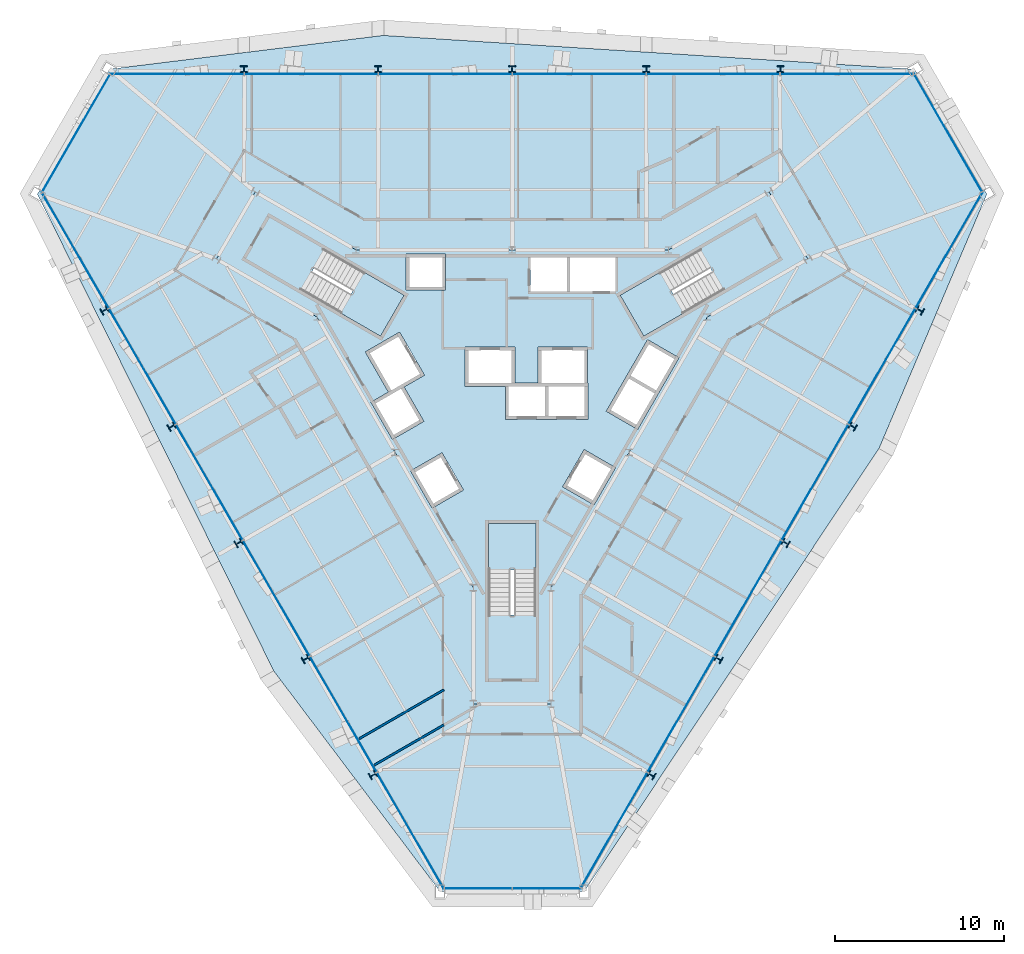
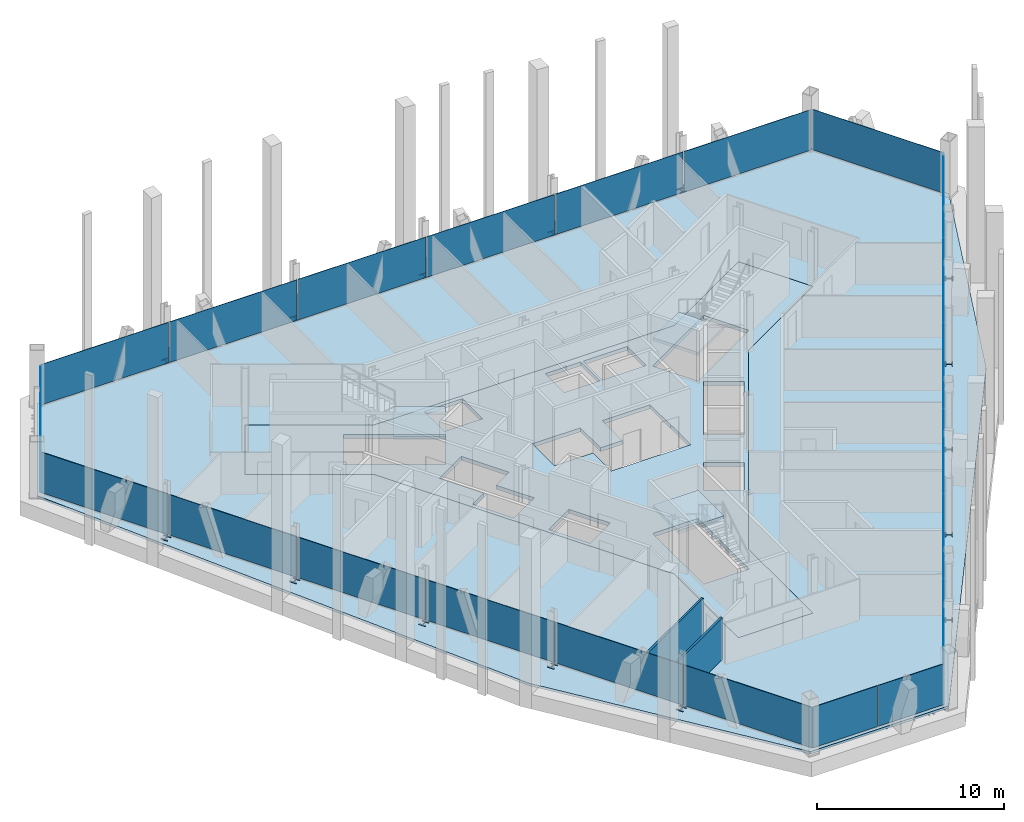
# One storey, part 9 of 15: 22 plates, 15 members, 5 slabs, 2 walls, 9 elements without a shape of their own.
"""IFC4 building model written with IfcOpenShell, lengths in metres."""

from ifc_helpers import new_model, si_unit, direction, frame, frame_2d, origin, origin_2d, place, context, subcontext, project, spatial, polyline, rectangle, i_section, outline, extrude, material, layer, layer_set, material_profile, profile_set, type_object, element, aggregate, save


model = new_model("IFC4")

# Units and contexts
model_context = context("Model", 3, precision=1e-05, world=origin(), true_north=direction((0.0, 1.0)))
body_context = subcontext(model_context, "Body", "Model", "MODEL_VIEW")
ifc_project = project(units=[si_unit("LENGTHUNIT", "METRE"), si_unit("AREAUNIT", "SQUARE_METRE"), si_unit("VOLUMEUNIT", "CUBIC_METRE"), si_unit("PLANEANGLEUNIT", "RADIAN"), si_unit("MASSUNIT", "GRAM", prefix="KILO")], contexts=[model_context])

# Site, building, storey
site_placement = place(None, origin())
site = spatial("IfcSite", under=ifc_project, at=site_placement, CompositionType="ELEMENT")
building_placement = place(site_placement, origin())
building = spatial("IfcBuilding", under=site, at=building_placement, Name="Verrane Prism Tower", CompositionType="ELEMENT")
storey_placement = place(building_placement, frame((0.0, 0.0, 189.5)))
storey = spatial("IfcBuildingStorey", under=building, at=storey_placement, Name="L47", CompositionType="ELEMENT", Elevation=189.5)

# Members
ifc_material_1 = material(Name="Steel A992", Category="steel")
ifc_material_profile = material_profile(ifc_material_1, i_section(OverallWidth=0.406494140625, OverallDepth=0.41650390625, WebThickness=0.030029296875, FlangeThickness=0.048095703125, FilletRadius=0.01513671875, at=origin_2d()), Name="W14x257")
ifc_profile_set = profile_set([ifc_material_profile], Name="Steel A992")
member_type = type_object("IfcMemberType", Name="Kink node W14x257", PredefinedType="COLLAR", material=ifc_profile_set)
member_1_placement = place(storey_placement, frame((15.898681640625, 18.706298828125, -0.0400390625), z_axis=(0.0, 0.0, 1.0), x_axis=(1.0, 0.0, 0.0)))
element("IfcMember", 1, at=member_1_placement, inside=storey, type_object=member_type, Name="Kink node PC7 L47", PredefinedType="COLLAR", context=body_context, shape_type="SweptSolid", body=[
    extrude(i_section(OverallWidth=0.406494140625, OverallDepth=0.41650390625, WebThickness=0.030029296875, FlangeThickness=0.048095703125, FilletRadius=0.01513671875, at=origin_2d()), origin(), (0.0, 0.0, 1.0), 0.080078125),
])
member_2_placement = place(storey_placement, frame((7.949462890625, 18.706787109375, -0.034912109375), z_axis=(0.0, 0.0, 1.0), x_axis=(1.0, 0.0, 0.0)))
element("IfcMember", 2, at=member_2_placement, inside=storey, type_object=member_type, Name="Kink node PC7 L47", PredefinedType="COLLAR", context=body_context, shape_type="SweptSolid", body=[
    extrude(i_section(OverallWidth=0.406494140625, OverallDepth=0.41650390625, WebThickness=0.030029296875, FlangeThickness=0.048095703125, FilletRadius=0.01513671875, at=origin_2d()), origin(), (0.0, 0.0, 1.0), 0.06982421875),
])
member_3_placement = place(storey_placement, frame((0.0, 18.70703125, -0.030029296875), z_axis=(0.0, 0.0, 1.0), x_axis=(1.0, 0.0, 0.0)))
element("IfcMember", 3, at=member_3_placement, inside=storey, type_object=member_type, Name="Kink node PC7 L47", PredefinedType="COLLAR", context=body_context, shape_type="SweptSolid", body=[
    extrude(i_section(OverallWidth=0.406494140625, OverallDepth=0.41650390625, WebThickness=0.030029296875, FlangeThickness=0.048095703125, FilletRadius=0.01513671875, at=origin_2d()), origin(), (0.0, 0.0, 1.0), 0.06005859375),
])
member_4_placement = place(storey_placement, frame((-7.949462890625, 18.706787109375, -0.034912109375), z_axis=(0.0, 0.0, 1.0), x_axis=(1.0, 0.0, 0.0)))
element("IfcMember", 4, at=member_4_placement, inside=storey, type_object=member_type, Name="Kink node PC7 L47", PredefinedType="COLLAR", context=body_context, shape_type="SweptSolid", body=[
    extrude(i_section(OverallWidth=0.406494140625, OverallDepth=0.41650390625, WebThickness=0.030029296875, FlangeThickness=0.048095703125, FilletRadius=0.01513671875, at=origin_2d()), origin(), (0.0, 0.0, 1.0), 0.06982421875),
])
for number, where, z_axis, x_axis, name in (
    (5, (-15.898681640625, 18.706298828125, -0.0400390625), (0.0, 0.0, 1.0), (1.0, 0.0, 0.0), "Kink node PC7 L47"),
    (6, (8.24755859375, -23.126708984375, -0.0400390625), (0.0, 0.0, 1.0), (-0.5, -0.866025403784, 0.0), "Kink node PC7 L47"),
):
    element("IfcMember", number, at=place(storey_placement, frame(where, z_axis=z_axis, x_axis=x_axis)), inside=storey, type_object=member_type, Name=name, PredefinedType="COLLAR", context=body_context, shape_type="SweptSolid", body=[
        extrude(i_section(OverallWidth=0.406494140625, OverallDepth=0.41650390625, WebThickness=0.030029296875, FlangeThickness=0.048095703125, FilletRadius=0.01513671875, at=origin_2d()), origin(), (0.0, 0.0, 1.0), 0.080078125),
    ])
member_5_placement = place(storey_placement, frame((12.2275390625, -16.23779296875, -0.034912109375), z_axis=(0.0, 0.0, 1.0), x_axis=(-0.5, -0.866025403784, 0.0)))
element("IfcMember", 7, at=member_5_placement, inside=storey, type_object=member_type, Name="Kink node PC7 L47", PredefinedType="COLLAR", context=body_context, shape_type="SweptSolid", body=[
    extrude(i_section(OverallWidth=0.406494140625, OverallDepth=0.41650390625, WebThickness=0.030029296875, FlangeThickness=0.048095703125, FilletRadius=0.01513671875, at=origin_2d()), origin(), (0.0, 0.0, 1.0), 0.06982421875),
])
member_6_placement = place(storey_placement, frame((16.197509765625, -9.358642578125, -0.030029296875), z_axis=(0.0, 0.0, 1.0), x_axis=(-0.5, -0.866025403784, 0.0)))
element("IfcMember", 8, at=member_6_placement, inside=storey, type_object=member_type, Name="Kink node PC7 L47", PredefinedType="COLLAR", context=body_context, shape_type="SweptSolid", body=[
    extrude(i_section(OverallWidth=0.406494140625, OverallDepth=0.41650390625, WebThickness=0.030029296875, FlangeThickness=0.048095703125, FilletRadius=0.01513671875, at=origin_2d()), origin(), (0.0, 0.0, 1.0), 0.06005859375),
])
member_7_placement = place(storey_placement, frame((20.177001953125, -2.46875, -0.034912109375), z_axis=(0.0, 0.0, 1.0), x_axis=(-0.5, -0.866025403784, 0.0)))
element("IfcMember", 9, at=member_7_placement, inside=storey, type_object=member_type, Name="Kink node PC7 L47", PredefinedType="COLLAR", context=body_context, shape_type="SweptSolid", body=[
    extrude(i_section(OverallWidth=0.406494140625, OverallDepth=0.41650390625, WebThickness=0.030029296875, FlangeThickness=0.048095703125, FilletRadius=0.01513671875, at=origin_2d()), origin(), (0.0, 0.0, 1.0), 0.06982421875),
])
for number, where, z_axis, x_axis, name in (
    (10, (24.156005859375, 4.420654296875, -0.0400390625), (0.0, 0.0, 1.0), (-0.5, -0.866025403784, 0.0), "Kink node PC7 L47"),
    (11, (-24.156005859375, 4.420654296875, -0.0400390625), (0.0, 0.0, 1.0), (-0.5, 0.866025403784, 0.0), "Kink node PC7 L47"),
):
    element("IfcMember", number, at=place(storey_placement, frame(where, z_axis=z_axis, x_axis=x_axis)), inside=storey, type_object=member_type, Name=name, PredefinedType="COLLAR", context=body_context, shape_type="SweptSolid", body=[
        extrude(i_section(OverallWidth=0.406494140625, OverallDepth=0.41650390625, WebThickness=0.030029296875, FlangeThickness=0.048095703125, FilletRadius=0.01513671875, at=origin_2d()), origin(), (0.0, 0.0, 1.0), 0.080078125),
    ])
member_8_placement = place(storey_placement, frame((-20.177001953125, -2.46875, -0.034912109375), z_axis=(0.0, 0.0, 1.0), x_axis=(-0.5, 0.866025403784, 0.0)))
element("IfcMember", 12, at=member_8_placement, inside=storey, type_object=member_type, Name="Kink node PC7 L47", PredefinedType="COLLAR", context=body_context, shape_type="SweptSolid", body=[
    extrude(i_section(OverallWidth=0.406494140625, OverallDepth=0.41650390625, WebThickness=0.030029296875, FlangeThickness=0.048095703125, FilletRadius=0.01513671875, at=origin_2d()), origin(), (0.0, 0.0, 1.0), 0.06982421875),
])
member_9_placement = place(storey_placement, frame((-16.197509765625, -9.358642578125, -0.030029296875), z_axis=(0.0, 0.0, 1.0), x_axis=(-0.5, 0.866025403784, 0.0)))
element("IfcMember", 13, at=member_9_placement, inside=storey, type_object=member_type, Name="Kink node PC7 L47", PredefinedType="COLLAR", context=body_context, shape_type="SweptSolid", body=[
    extrude(i_section(OverallWidth=0.406494140625, OverallDepth=0.41650390625, WebThickness=0.030029296875, FlangeThickness=0.048095703125, FilletRadius=0.01513671875, at=origin_2d()), origin(), (0.0, 0.0, 1.0), 0.06005859375),
])
member_10_placement = place(storey_placement, frame((-12.2275390625, -16.23779296875, -0.034912109375), z_axis=(0.0, 0.0, 1.0), x_axis=(-0.5, 0.866025403784, 0.0)))
element("IfcMember", 14, at=member_10_placement, inside=storey, type_object=member_type, Name="Kink node PC7 L47", PredefinedType="COLLAR", context=body_context, shape_type="SweptSolid", body=[
    extrude(i_section(OverallWidth=0.406494140625, OverallDepth=0.41650390625, WebThickness=0.030029296875, FlangeThickness=0.048095703125, FilletRadius=0.01513671875, at=origin_2d()), origin(), (0.0, 0.0, 1.0), 0.06982421875),
])
member_11_placement = place(storey_placement, frame((-8.24755859375, -23.126708984375, -0.0400390625), z_axis=(0.0, 0.0, 1.0), x_axis=(-0.5, 0.866025403784, 0.0)))
element("IfcMember", 15, at=member_11_placement, inside=storey, type_object=member_type, Name="Kink node PC7 L47", PredefinedType="COLLAR", context=body_context, shape_type="SweptSolid", body=[
    extrude(i_section(OverallWidth=0.406494140625, OverallDepth=0.41650390625, WebThickness=0.030029296875, FlangeThickness=0.048095703125, FilletRadius=0.01513671875, at=origin_2d()), origin(), (0.0, 0.0, 1.0), 0.080078125),
])

# Slabs
ifc_material_2 = material(Name="Concrete C35/45", Category="concrete")
ifc_layer_1 = layer(ifc_material_2, 0.159912109375)
ifc_layer_set_1 = layer_set([ifc_layer_1], Name="Composite floor slab")
slab_type_1 = type_object("IfcSlabType", Name="Composite floor slab", PredefinedType="FLOOR", material=ifc_layer_set_1)
slab_1_placement = place(storey_placement, frame((0.0, 0.0, -0.159912109375)))
element("IfcSlab", 16, at=slab_1_placement, inside=storey, type_object=slab_type_1, Name="Floor slab L47", PredefinedType="FLOOR", context=body_context, shape_type="SweptSolid", body=[
    extrude(outline(polyline([(21.75244140625, -3.74365234375), (4.27490234375, -30.015380859375), (-4.27490234375, -30.015380859375), (-14.118408203125, -16.96630859375), (-28.131591796875, 11.305419921875), (-23.856689453125, 18.7099609375), (-7.634033203125, 20.7099609375), (23.856689453125, 18.7099609375), (28.131591796875, 11.305419921875), (21.75244140625, -3.74365234375)]), holes=[polyline([(17.52001953125, 7.4599609375), (15.219970703125, 11.43994140625), (9.260009765625, 8.0), (0.0, 8.0), (-9.260009765625, 8.0), (-15.219970703125, 11.43994140625), (-17.52001953125, 7.4599609375), (-11.56005859375, 4.02001953125), (-6.929931640625, -4.0), (-2.300048828125, -12.02001953125), (-2.300048828125, -18.89990234375), (2.300048828125, -18.89990234375), (2.300048828125, -12.02001953125), (6.929931640625, -4.0), (11.56005859375, 4.02001953125), (17.52001953125, 7.4599609375)])]), origin(), (0.0, 0.0, 1.0), 0.159912109375),
])
ifc_material_3 = material(Name="Concrete C40/50", Category="concrete")
ifc_layer_2 = layer(ifc_material_3, 0.25)
ifc_layer_set_2 = layer_set([ifc_layer_2], Name="Core floor slab 250 concrete C40/50")
slab_type_2 = type_object("IfcSlabType", Name="Core floor slab 250 concrete C40/50", PredefinedType="FLOOR", material=ifc_layer_set_2)
slab_2_placement = place(storey_placement, frame((0.0, 0.0, -0.25)))
element("IfcSlab", 17, at=slab_2_placement, inside=storey, type_object=slab_type_2, Name="Core floor L47", PredefinedType="FLOOR", context=body_context, shape_type="SweptSolid", body=[
    extrude(outline(polyline([(11.56005859375, 4.02001953125), (17.52001953125, 7.4599609375), (15.219970703125, 11.43994140625), (9.260009765625, 8.0), (0.0, 8.0), (-9.260009765625, 8.0), (-15.219970703125, 11.43994140625), (-17.52001953125, 7.4599609375), (-11.56005859375, 4.02001953125), (-6.929931640625, -4.0), (-2.300048828125, -12.02001953125), (-2.300048828125, -18.89990234375), (2.300048828125, -18.89990234375), (2.300048828125, -12.02001953125), (6.929931640625, -4.0), (11.56005859375, 4.02001953125)]), holes=[polyline([(1.39990234375, -8.199951171875), (1.39990234375, -13.639892578125), (-1.39990234375, -13.639892578125), (-1.39990234375, -8.199951171875), (1.39990234375, -8.199951171875)]), polyline([(-2.881103515625, -6.22998046875), (-4.742919921875, -7.304931640625), (-6.01806640625, -5.096923828125), (-4.156005859375, -4.02197265625), (-2.881103515625, -6.22998046875)]), polyline([(-7.801025390625, 2.887939453125), (-12.512939453125, 5.60791015625), (-11.113037109375, 8.031982421875), (-6.40087890625, 5.31201171875), (-7.801025390625, 2.887939453125)]), polyline([(-6.284912109375, 5.610107421875), (-6.284912109375, 7.760009765625), (-3.93505859375, 7.760009765625), (-3.93505859375, 5.610107421875), (-6.284912109375, 5.610107421875)]), polyline([(4.26611328125, -3.8310546875), (6.1279296875, -4.906005859375), (4.85302734375, -7.114990234375), (2.990966796875, -6.0400390625), (4.26611328125, -3.8310546875)]), polyline([(7.43798828125, -2.636962890625), (5.575927734375, -1.56201171875), (8.02587890625, 2.680908203125), (9.887939453125, 1.60595703125), (7.43798828125, -2.636962890625)]), polyline([(0.1650390625, 0.10009765625), (1.52490234375, 0.10009765625), (1.52490234375, 2.25), (4.47509765625, 2.25), (4.47509765625, 0.10009765625), (4.4951171875, 0.10009765625), (4.4951171875, -2.050048828125), (-0.405029296875, -2.050048828125), (-0.405029296875, -0.10009765625), (-2.784912109375, -0.10009765625), (-2.784912109375, 2.25), (0.1650390625, 2.25), (0.1650390625, 0.10009765625)]), polyline([(6.40087890625, 5.31201171875), (11.113037109375, 8.031982421875), (12.512939453125, 5.60791015625), (7.801025390625, 2.887939453125), (6.40087890625, 5.31201171875)]), polyline([(1.074951171875, 5.534912109375), (1.074951171875, 7.56005859375), (3.264892578125, 7.56005859375), (3.264892578125, 5.534912109375), (1.074951171875, 5.534912109375)]), polyline([(3.4150390625, 7.56005859375), (6.125, 7.56005859375), (6.125, 5.534912109375), (3.4150390625, 5.534912109375), (3.4150390625, 7.56005859375)]), polyline([(-5.23095703125, -2.159912109375), (-7.093017578125, -3.235107421875), (-8.367919921875, -1.02587890625), (-7.3291015625, -0.426025390625), (-8.7041015625, 1.955078125), (-6.66796875, 3.1298828125), (-5.193115234375, 0.574951171875), (-6.406005859375, -0.125), (-5.23095703125, -2.159912109375)])]), origin(), (0.0, 0.0, 1.0), 0.25),
])

# Curtain wall, plates
ifc_material_4 = material(Name="Aluminium framed insulated glazing", Category="aluminium")
curtain_wall_type_1 = type_object("IfcCurtainWallType", Name="Curtain wall CW-C 4200 module", PredefinedType="NOTDEFINED", material=ifc_material_4)
curtain_wall_1_placement = place(storey_placement, origin())
curtain_wall_1 = element("IfcCurtainWall", 18, at=curtain_wall_1_placement, inside=storey, type_object=curtain_wall_type_1, Name="Glazed curtain wall south corner L47", PredefinedType="NOTDEFINED")
ifc_material_5 = material(Name="Low-iron insulating glass unit", Category="glass")
ifc_layer_3 = layer(ifc_material_5, 0.02392578125)
ifc_layer_set_3 = layer_set([ifc_layer_3], Name="Glazing panel IGU 24")
plate_type_1 = type_object("IfcPlateType", Name="Glazing panel IGU 24", PredefinedType="CURTAIN_PANEL", material=ifc_layer_set_3)
plate_1_placement = place(storey_placement, frame((-2.01513671875, -29.838134765625, 0.0498046875), z_axis=(0.0, 0.0, 1.0), x_axis=(1.0, 0.0, 0.0)))
plate_1 = element("IfcPlate", 19, at=plate_1_placement, type_object=plate_type_1, Name="CW47.5 panel 1", PredefinedType="CURTAIN_PANEL", context=body_context, shape_type="SweptSolid", body=[
    extrude(rectangle(XDim=3.980224609375, YDim=0.02392578125, at=origin_2d()), origin(), (0.0, 0.0, 1.0), 2.662841796875),
])
plate_2_placement = place(storey_placement, frame((2.0400390625, -29.838134765625, 0.0498046875), z_axis=(0.0, 0.0, 1.0), x_axis=(1.0, 0.0, 0.0)))
plate_2 = element("IfcPlate", 20, at=plate_2_placement, type_object=plate_type_1, Name="CW47.5 panel 2", PredefinedType="CURTAIN_PANEL", context=body_context, shape_type="SweptSolid", body=[
    extrude(rectangle(XDim=4.0302734375, YDim=0.02392578125, at=origin_2d()), origin(), (0.0, 0.0, 1.0), 2.662841796875),
])
aggregate(curtain_wall_1, [plate_1, plate_2])

# Curtain wall, plate
ifc_material_6 = material(Name="Aluminium framed insulated glazing", Category="aluminium")
curtain_wall_type_2 = type_object("IfcCurtainWallType", Name="Curtain wall CW-B 5600 module", PredefinedType="NOTDEFINED", material=ifc_material_6)
curtain_wall_2_placement = place(storey_placement, origin())
curtain_wall_2 = element("IfcCurtainWall", 21, at=curtain_wall_2_placement, inside=storey, type_object=curtain_wall_type_2, Name="Glazed curtain wall north-west corner L47", PredefinedType="NOTDEFINED")
ifc_material_7 = material(Name="Low-iron insulating glass unit", Category="glass")
ifc_layer_4 = layer(ifc_material_7, 0.028076171875)
ifc_layer_set_4 = layer_set([ifc_layer_4], Name="Glazing panel IGU 28")
plate_type_2 = type_object("IfcPlateType", Name="Glazing panel IGU 28", PredefinedType="CURTAIN_PANEL", material=ifc_layer_set_4)
plate_3_placement = place(storey_placement, frame((-25.85546875, 14.89306640625, 0.06005859375), z_axis=(0.0, 0.0, 1.0), x_axis=(-0.500004572218, -0.866022763997, 0.0)))
plate_3 = element("IfcPlate", 22, at=plate_3_placement, type_object=plate_type_2, Name="CW47.3 panel 1", PredefinedType="CURTAIN_PANEL", context=body_context, shape_type="SweptSolid", body=[
    extrude(rectangle(XDim=8.050537109375, YDim=0.028076171875, at=origin_2d()), origin(), (0.0, 0.0, 1.0), 2.65283203125),
])
aggregate(curtain_wall_2, [plate_3])

ifc_material_8 = material(Name="Aluminium framed insulated glazing", Category="aluminium")
curtain_wall_type_3 = type_object("IfcCurtainWallType", Name="Curtain wall CW-A 8400 module", PredefinedType="NOTDEFINED", material=ifc_material_8)
curtain_wall_3_placement = place(storey_placement, origin())
curtain_wall_3 = element("IfcCurtainWall", 23, at=curtain_wall_3_placement, inside=storey, type_object=curtain_wall_type_3, Name="Glazed curtain wall north-east corner L47", PredefinedType="NOTDEFINED")
ifc_material_9 = material(Name="Low-iron insulating glass unit", Category="glass")
ifc_layer_5 = layer(ifc_material_9, 0.031982421875)
ifc_layer_set_5 = layer_set([ifc_layer_5], Name="Glazing panel IGU 32")
plate_type_3 = type_object("IfcPlateType", Name="Glazing panel IGU 32", PredefinedType="CURTAIN_PANEL", material=ifc_layer_set_5)
plate_4_placement = place(storey_placement, frame((25.822998046875, 14.949462890625, 0.06982421875), z_axis=(0.0, 0.0, 1.0), x_axis=(-0.500004572218, 0.866022763997, 0.0)))
plate_4 = element("IfcPlate", 24, at=plate_4_placement, type_object=plate_type_3, Name="CW47.1 panel 1", PredefinedType="CURTAIN_PANEL", context=body_context, shape_type="SweptSolid", body=[
    extrude(rectangle(XDim=8.04052734375, YDim=0.031982421875, at=origin_2d()), origin(), (0.0, 0.0, 1.0), 2.642822265625),
])
aggregate(curtain_wall_3, [plate_4])

# Curtain wall, plates
curtain_wall_4_placement = place(storey_placement, origin())
curtain_wall_4 = element("IfcCurtainWall", 25, at=curtain_wall_4_placement, inside=storey, type_object=curtain_wall_type_3, Name="Glazed curtain wall north face L47", PredefinedType="NOTDEFINED")
plate_5_placement = place(storey_placement, frame((19.82666015625, 18.430908203125, 0.06982421875), z_axis=(0.0, 0.0, 1.0), x_axis=(-1.0, 0.0, 0.0)))
plate_5 = element("IfcPlate", 26, at=plate_5_placement, type_object=plate_type_3, Name="CW47.2 panel 1", PredefinedType="CURTAIN_PANEL", context=body_context, shape_type="SweptSolid", body=[
    extrude(rectangle(XDim=7.83251953125, YDim=0.031982421875, at=origin_2d()), origin(), (0.0, 0.0, 1.0), 2.642822265625),
])
plate_6_placement = place(storey_placement, frame((11.906494140625, 18.430908203125, 0.06982421875), z_axis=(0.0, 0.0, 1.0), x_axis=(-1.0, 0.0, 0.0)))
plate_6 = element("IfcPlate", 27, at=plate_6_placement, type_object=plate_type_3, Name="CW47.2 panel 2", PredefinedType="CURTAIN_PANEL", context=body_context, shape_type="SweptSolid", body=[
    extrude(rectangle(XDim=7.86767578125, YDim=0.031982421875, at=origin_2d()), origin(), (0.0, 0.0, 1.0), 2.642822265625),
])
plate_7_placement = place(storey_placement, frame((3.96875, 18.430908203125, 0.06982421875), z_axis=(0.0, 0.0, 1.0), x_axis=(-1.0, 0.0, 0.0)))
plate_7 = element("IfcPlate", 28, at=plate_7_placement, type_object=plate_type_3, Name="CW47.2 panel 3", PredefinedType="CURTAIN_PANEL", context=body_context, shape_type="SweptSolid", body=[
    extrude(rectangle(XDim=7.86767578125, YDim=0.031982421875, at=origin_2d()), origin(), (0.0, 0.0, 1.0), 2.642822265625),
])
plate_8_placement = place(storey_placement, frame((-3.96875, 18.430908203125, 0.06982421875), z_axis=(0.0, 0.0, 1.0), x_axis=(-1.0, 0.0, 0.0)))
plate_8 = element("IfcPlate", 29, at=plate_8_placement, type_object=plate_type_3, Name="CW47.2 panel 4", PredefinedType="CURTAIN_PANEL", context=body_context, shape_type="SweptSolid", body=[
    extrude(rectangle(XDim=7.86767578125, YDim=0.031982421875, at=origin_2d()), origin(), (0.0, 0.0, 1.0), 2.642822265625),
])
plate_9_placement = place(storey_placement, frame((-11.906494140625, 18.430908203125, 0.06982421875), z_axis=(0.0, 0.0, 1.0), x_axis=(-1.0, 0.0, 0.0)))
plate_9 = element("IfcPlate", 30, at=plate_9_placement, type_object=plate_type_3, Name="CW47.2 panel 5", PredefinedType="CURTAIN_PANEL", context=body_context, shape_type="SweptSolid", body=[
    extrude(rectangle(XDim=7.86767578125, YDim=0.031982421875, at=origin_2d()), origin(), (0.0, 0.0, 1.0), 2.642822265625),
])
plate_10_placement = place(storey_placement, frame((-19.861572265625, 18.430908203125, 0.06982421875), z_axis=(0.0, 0.0, 1.0), x_axis=(-1.0, 0.0, 0.0)))
plate_10 = element("IfcPlate", 31, at=plate_10_placement, type_object=plate_type_3, Name="CW47.2 panel 6", PredefinedType="CURTAIN_PANEL", context=body_context, shape_type="SweptSolid", body=[
    extrude(rectangle(XDim=7.902587890625, YDim=0.031982421875, at=origin_2d()), origin(), (0.0, 0.0, 1.0), 2.642822265625),
])
aggregate(curtain_wall_4, [plate_5, plate_6, plate_7, plate_8, plate_9, plate_10])

curtain_wall_5_placement = place(storey_placement, origin())
curtain_wall_5 = element("IfcCurtainWall", 32, at=curtain_wall_5_placement, inside=storey, type_object=curtain_wall_type_3, Name="Glazed curtain wall south-west face L47", PredefinedType="NOTDEFINED")
plate_11_placement = place(storey_placement, frame((-25.875, 7.954833984375, 0.06982421875), z_axis=(0.0, 0.0, 1.0), x_axis=(0.499999569721, -0.866025652206, 0.0)))
plate_11 = element("IfcPlate", 33, at=plate_11_placement, type_object=plate_type_3, Name="CW47.4 panel 1", PredefinedType="CURTAIN_PANEL", context=body_context, shape_type="SweptSolid", body=[
    extrude(rectangle(XDim=7.83251953125, YDim=0.031982421875, at=origin_2d()), origin(), (0.0, 0.0, 1.0), 2.642822265625),
])
plate_12_placement = place(storey_placement, frame((-21.9150390625, 1.095703125, 0.06982421875), z_axis=(0.0, 0.0, 1.0), x_axis=(0.499999569721, -0.866025652206, 0.0)))
plate_12 = element("IfcPlate", 34, at=plate_12_placement, type_object=plate_type_3, Name="CW47.4 panel 2", PredefinedType="CURTAIN_PANEL", context=body_context, shape_type="SweptSolid", body=[
    extrude(rectangle(XDim=7.86767578125, YDim=0.031982421875, at=origin_2d()), origin(), (0.0, 0.0, 1.0), 2.642822265625),
])
plate_13_placement = place(storey_placement, frame((-17.946044921875, -5.7783203125, 0.06982421875), z_axis=(0.0, 0.0, 1.0), x_axis=(0.499999569721, -0.866025652206, 0.0)))
plate_13 = element("IfcPlate", 35, at=plate_13_placement, type_object=plate_type_3, Name="CW47.4 panel 3", PredefinedType="CURTAIN_PANEL", context=body_context, shape_type="SweptSolid", body=[
    extrude(rectangle(XDim=7.86767578125, YDim=0.031982421875, at=origin_2d()), origin(), (0.0, 0.0, 1.0), 2.642822265625),
])
plate_14_placement = place(storey_placement, frame((-13.977294921875, -12.652587890625, 0.06982421875), z_axis=(0.0, 0.0, 1.0), x_axis=(0.499999569721, -0.866025652206, 0.0)))
plate_14 = element("IfcPlate", 36, at=plate_14_placement, type_object=plate_type_3, Name="CW47.4 panel 4", PredefinedType="CURTAIN_PANEL", context=body_context, shape_type="SweptSolid", body=[
    extrude(rectangle(XDim=7.86767578125, YDim=0.031982421875, at=origin_2d()), origin(), (0.0, 0.0, 1.0), 2.642822265625),
])
plate_15_placement = place(storey_placement, frame((-10.008544921875, -19.52685546875, 0.06982421875), z_axis=(0.0, 0.0, 1.0), x_axis=(0.499999569721, -0.866025652206, 0.0)))
plate_15 = element("IfcPlate", 37, at=plate_15_placement, type_object=plate_type_3, Name="CW47.4 panel 5", PredefinedType="CURTAIN_PANEL", context=body_context, shape_type="SweptSolid", body=[
    extrude(rectangle(XDim=7.86767578125, YDim=0.031982421875, at=origin_2d()), origin(), (0.0, 0.0, 1.0), 2.642822265625),
])
plate_16_placement = place(storey_placement, frame((-6.031005859375, -26.416259765625, 0.06982421875), z_axis=(0.0, 0.0, 1.0), x_axis=(0.499999569721, -0.866025652206, 0.0)))
plate_16 = element("IfcPlate", 38, at=plate_16_placement, type_object=plate_type_3, Name="CW47.4 panel 6", PredefinedType="CURTAIN_PANEL", context=body_context, shape_type="SweptSolid", body=[
    extrude(rectangle(XDim=7.902587890625, YDim=0.031982421875, at=origin_2d()), origin(), (0.0, 0.0, 1.0), 2.642822265625),
])
aggregate(curtain_wall_5, [plate_11, plate_12, plate_13, plate_14, plate_15, plate_16])

curtain_wall_6_placement = place(storey_placement, origin())
curtain_wall_6 = element("IfcCurtainWall", 39, at=curtain_wall_6_placement, inside=storey, type_object=curtain_wall_type_3, Name="Glazed curtain wall south-east face L47", PredefinedType="NOTDEFINED")
plate_17_placement = place(storey_placement, frame((6.04833984375, -26.3857421875, 0.06982421875), z_axis=(0.0, 0.0, 1.0), x_axis=(0.499999569721, 0.866025652206, 0.0)))
plate_17 = element("IfcPlate", 40, at=plate_17_placement, type_object=plate_type_3, Name="CW47.6 panel 1", PredefinedType="CURTAIN_PANEL", context=body_context, shape_type="SweptSolid", body=[
    extrude(rectangle(XDim=7.83251953125, YDim=0.031982421875, at=origin_2d()), origin(), (0.0, 0.0, 1.0), 2.642822265625),
])
plate_18_placement = place(storey_placement, frame((10.008544921875, -19.52685546875, 0.06982421875), z_axis=(0.0, 0.0, 1.0), x_axis=(0.499999569721, 0.866025652206, 0.0)))
plate_18 = element("IfcPlate", 41, at=plate_18_placement, type_object=plate_type_3, Name="CW47.6 panel 2", PredefinedType="CURTAIN_PANEL", context=body_context, shape_type="SweptSolid", body=[
    extrude(rectangle(XDim=7.86767578125, YDim=0.031982421875, at=origin_2d()), origin(), (0.0, 0.0, 1.0), 2.642822265625),
])
plate_19_placement = place(storey_placement, frame((13.977294921875, -12.652587890625, 0.06982421875), z_axis=(0.0, 0.0, 1.0), x_axis=(0.499999569721, 0.866025652206, 0.0)))
plate_19 = element("IfcPlate", 42, at=plate_19_placement, type_object=plate_type_3, Name="CW47.6 panel 3", PredefinedType="CURTAIN_PANEL", context=body_context, shape_type="SweptSolid", body=[
    extrude(rectangle(XDim=7.86767578125, YDim=0.031982421875, at=origin_2d()), origin(), (0.0, 0.0, 1.0), 2.642822265625),
])
plate_20_placement = place(storey_placement, frame((17.946044921875, -5.7783203125, 0.06982421875), z_axis=(0.0, 0.0, 1.0), x_axis=(0.499999569721, 0.866025652206, 0.0)))
plate_20 = element("IfcPlate", 43, at=plate_20_placement, type_object=plate_type_3, Name="CW47.6 panel 4", PredefinedType="CURTAIN_PANEL", context=body_context, shape_type="SweptSolid", body=[
    extrude(rectangle(XDim=7.86767578125, YDim=0.031982421875, at=origin_2d()), origin(), (0.0, 0.0, 1.0), 2.642822265625),
])
plate_21_placement = place(storey_placement, frame((21.9150390625, 1.095703125, 0.06982421875), z_axis=(0.0, 0.0, 1.0), x_axis=(0.499999569721, 0.866025652206, 0.0)))
plate_21 = element("IfcPlate", 44, at=plate_21_placement, type_object=plate_type_3, Name="CW47.6 panel 5", PredefinedType="CURTAIN_PANEL", context=body_context, shape_type="SweptSolid", body=[
    extrude(rectangle(XDim=7.86767578125, YDim=0.031982421875, at=origin_2d()), origin(), (0.0, 0.0, 1.0), 2.642822265625),
])
plate_22_placement = place(storey_placement, frame((25.892578125, 7.985107421875, 0.06982421875), z_axis=(0.0, 0.0, 1.0), x_axis=(0.499999569721, 0.866025652206, 0.0)))
plate_22 = element("IfcPlate", 45, at=plate_22_placement, type_object=plate_type_3, Name="CW47.6 panel 6", PredefinedType="CURTAIN_PANEL", context=body_context, shape_type="SweptSolid", body=[
    extrude(rectangle(XDim=7.902587890625, YDim=0.031982421875, at=origin_2d()), origin(), (0.0, 0.0, 1.0), 2.642822265625),
])
aggregate(curtain_wall_6, [plate_17, plate_18, plate_19, plate_20, plate_21, plate_22])

# Stair, slab
ifc_material_10 = material(Name="Concrete C40/50", Category="concrete")
stair_type = type_object("IfcStairType", Name="Exit stair 1300 dog-leg precast concrete C40/50", PredefinedType="HALF_TURN_STAIR", material=ifc_material_10)
stair_1_placement = place(storey_placement, origin())
stair_1 = element("IfcStair", 46, at=stair_1_placement, inside=storey, type_object=stair_type, Name="Stair 1 L47", PredefinedType="HALF_TURN_STAIR")
ifc_material_11 = material(Name="Concrete C40/50", Category="concrete")
ifc_layer_6 = layer(ifc_material_11, 0.199951171875)
ifc_layer_set_6 = layer_set([ifc_layer_6], Name="Stair landing 200 precast concrete C40/50")
slab_type_3 = type_object("IfcSlabType", Name="Stair landing 200 precast concrete C40/50", PredefinedType="LANDING", material=ifc_layer_set_6)
slab_3_placement = place(storey_placement, frame((0.0, 0.0, 1.64990234375)))
slab_3 = element("IfcSlab", 47, at=slab_3_placement, type_object=slab_type_3, Name="Stair 1 landing 1", PredefinedType="LANDING", context=body_context, shape_type="SweptSolid", body=[
    extrude(outline(polyline([(8.791748046875, 6.6923828125), (6.4013671875, 5.3125), (7.801513671875, 2.887451171875), (10.191650390625, 4.267578125), (8.791748046875, 6.6923828125)])), origin(), (0.0, 0.0, 1.0), 0.2001953125),
])
aggregate(stair_1, [slab_3])

stair_2_placement = place(storey_placement, origin())
stair_2 = element("IfcStair", 48, at=stair_2_placement, inside=storey, type_object=stair_type, Name="Stair 2 L47", PredefinedType="HALF_TURN_STAIR")
slab_4_placement = place(storey_placement, frame((0.0, 0.0, 1.64990234375)))
slab_4 = element("IfcSlab", 49, at=slab_4_placement, type_object=slab_type_3, Name="Stair 2 landing 1", PredefinedType="LANDING", context=body_context, shape_type="SweptSolid", body=[
    extrude(outline(polyline([(-10.191650390625, 4.267578125), (-7.801513671875, 2.887451171875), (-6.4013671875, 5.3125), (-8.791748046875, 6.6923828125), (-10.191650390625, 4.267578125)])), origin(), (0.0, 0.0, 1.0), 0.2001953125),
])
aggregate(stair_2, [slab_4])

stair_3_placement = place(storey_placement, origin())
stair_3 = element("IfcStair", 50, at=stair_3_placement, inside=storey, type_object=stair_type, Name="Stair 3 L47", PredefinedType="HALF_TURN_STAIR")
slab_5_placement = place(storey_placement, frame((0.0, 0.0, 1.64990234375)))
slab_5 = element("IfcSlab", 51, at=slab_5_placement, type_object=slab_type_3, Name="Stair 3 landing 1", PredefinedType="LANDING", context=body_context, shape_type="SweptSolid", body=[
    extrude(outline(polyline([(1.39990234375, -10.9599609375), (1.39990234375, -8.199951171875), (-1.39990234375, -8.199951171875), (-1.39990234375, -10.9599609375), (1.39990234375, -10.9599609375)])), origin(), (0.0, 0.0, 1.0), 0.2001953125),
])
aggregate(stair_3, [slab_5])

# Walls
ifc_material_12 = material(Name="Gypsum board partition", Category="other")
ifc_layer_7 = layer(ifc_material_12, 0.125)
ifc_layer_set_7 = layer_set([ifc_layer_7], Name="PW-125 corridor wall 1 h")
wall_type = type_object("IfcWallType", Name="PW-125 corridor wall 1 h", PredefinedType="PARTITIONING", material=ifc_layer_set_7)
wall_1_placement = place(storey_placement, frame((-9.065673828125, -20.968017578125, 0.0), z_axis=(0.0, 0.0, 1.0), x_axis=(0.866023559602, 0.500003194204, 0.0)))
element("IfcWall", 52, at=wall_1_placement, inside=storey, type_object=wall_type, Name="Corridor wall 017", PredefinedType="PARTITIONING", context=body_context, shape_type="SweptSolid", body=[
    extrude(rectangle(XDim=5.79638671875, YDim=0.125, at=frame_2d((2.898193359375, 0.0))), origin(), (0.0, 0.0, 1.0), 2.712890625),
])
wall_2_placement = place(storey_placement, frame((-8.165771484375, -22.527099609375, 0.0), z_axis=(0.0, 0.0, 1.0), x_axis=(0.866042865666, 0.499969753915, 0.0)))
element("IfcWall", 53, at=wall_2_placement, inside=storey, type_object=wall_type, Name="Corridor wall 019", PredefinedType="PARTITIONING", context=body_context, shape_type="SweptSolid", body=[
    extrude(rectangle(XDim=4.757080078125, YDim=0.125, at=frame_2d((2.37841796875, 0.0))), origin(), (0.0, 0.0, 1.0), 2.712890625),
])

save(model, "model.ifc")
